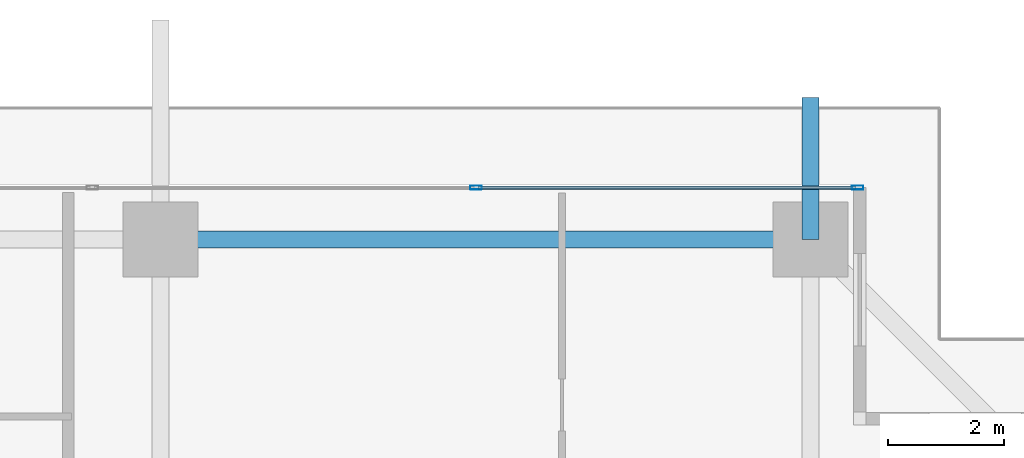
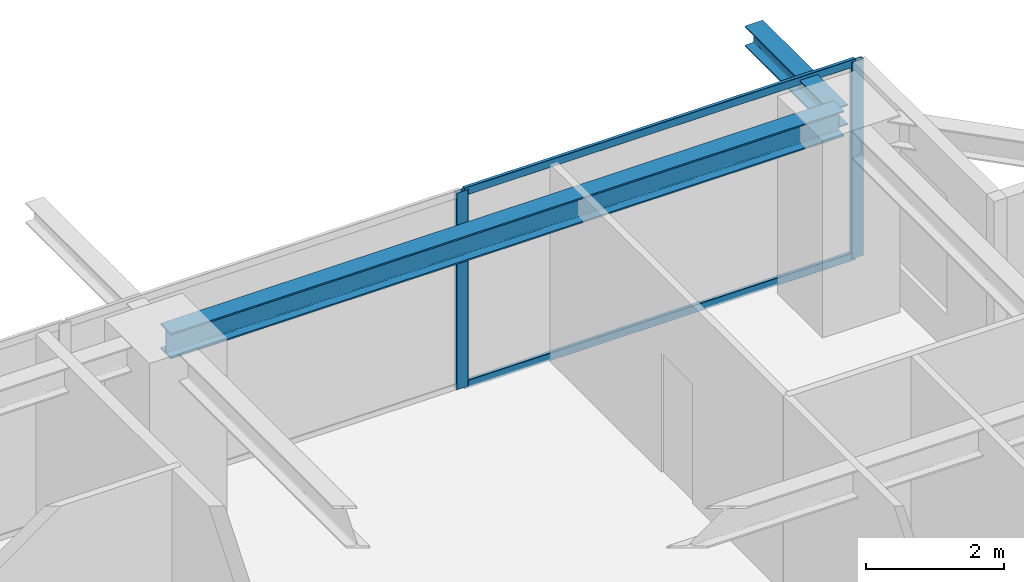
# One storey, part 24 of 36: 4 members, 2 beams, 1 element without a shape of its own.
"""IFC4 building model written with IfcOpenShell, lengths in metres."""

from ifc_helpers import new_model, si_unit, direction, frame, origin, origin_2d, place, context, subcontext, project, spatial, hollow_rectangle, i_section, extrude, source, transform, mapped, material, layer, layer_set, material_profile, profile_set, type_object, element, aggregate, save


model = new_model("IFC4")

# Units and contexts
model_context = context("Model", 3, precision=1e-05, world=origin(), true_north=direction((0.0, 1.0)))
body_context = subcontext(model_context, "Body", "Model", "MODEL_VIEW")
ifc_project = project(units=[si_unit("LENGTHUNIT", "METRE"), si_unit("AREAUNIT", "SQUARE_METRE"), si_unit("VOLUMEUNIT", "CUBIC_METRE"), si_unit("PLANEANGLEUNIT", "RADIAN"), si_unit("MASSUNIT", "GRAM", prefix="KILO")], contexts=[model_context])

# Site, building, storey
site_placement = place(None, origin())
site = spatial("IfcSite", under=ifc_project, at=site_placement, CompositionType="ELEMENT")
building_placement = place(site_placement, origin())
building = spatial("IfcBuilding", under=site, at=building_placement, Name="Serunith Strait Residences", CompositionType="ELEMENT")
storey_placement = place(building_placement, frame((0.0, 0.0, 131.39990234375)))
storey = spatial("IfcBuildingStorey", under=building, at=storey_placement, Name="L32", CompositionType="ELEMENT", Elevation=131.39990234375)

# Beams
ifc_material_1 = material(Name="Steel S355J2", Category="steel")
ifc_material_profile_1 = material_profile(ifc_material_1, i_section(OverallWidth=0.300048828125, OverallDepth=0.449951171875, WebThickness=0.013916015625, FlangeThickness=0.02587890625, FilletRadius=0.027099609375, at=origin_2d()), Name="HEB 450")
ifc_profile_set_1 = profile_set([ifc_material_profile_1], Name="Steel S355J2")
beam_type_1 = type_object("IfcBeamType", Name="BM-HEB450", PredefinedType="BEAM", material=ifc_profile_set_1)
shared_shape_1 = source(origin(), body_context, "Body", "SweptSolid", [
    extrude(i_section(OverallWidth=0.300048828125, OverallDepth=0.449951171875, WebThickness=0.013916015625, FlangeThickness=0.02587890625, FilletRadius=0.027099609375, at=origin_2d()), origin(), (0.0, 0.0, 1.0), 11.25),
])
beam_1_placement = place(storey_placement, frame((48.14990234375, 48.10009765625, 3.26220703125), z_axis=(-1.0, 0.0, 0.0), x_axis=(0.0, -1.0, 0.0)))
element("IfcBeam", 1, at=beam_1_placement, inside=storey, type_object=beam_type_1, Name="L32 Perimeter Ring Beam 09", PredefinedType="BEAM", context=body_context, shape_type="MappedRepresentation", body=[
    mapped(shared_shape_1, transform((0.0, 0.0, 0.0), scale=1.0)),
])
ifc_material_profile_2 = material_profile(ifc_material_1, i_section(OverallWidth=0.300048828125, OverallDepth=0.360107421875, WebThickness=0.012451171875, FlangeThickness=0.0224609375, FilletRadius=0.027099609375, at=origin_2d()), Name="HEB 360")
ifc_profile_set_2 = profile_set([ifc_material_profile_2], Name="Steel S355J2")
beam_type_2 = type_object("IfcBeamType", Name="BM-HEB360", PredefinedType="BEAM", material=ifc_profile_set_2)
shared_shape_2 = source(origin(), body_context, "Body", "SweptSolid", [
    extrude(i_section(OverallWidth=0.300048828125, OverallDepth=0.360107421875, WebThickness=0.012451171875, FlangeThickness=0.0224609375, FilletRadius=0.027099609375, at=origin_2d()), origin(), (0.0, 0.0, 1.0), 2.45849609375),
])
beam_2_placement = place(storey_placement, frame((48.14990234375, 48.10009765625, 3.277099609375), z_axis=(0.0, 1.0, 0.0), x_axis=(-1.0, 0.0, 0.0)))
element("IfcBeam", 2, at=beam_2_placement, inside=storey, type_object=beam_type_2, Name="L33 Cantilevered Balcony Rib TC-N4", PredefinedType="BEAM", context=body_context, shape_type="MappedRepresentation", body=[
    mapped(shared_shape_2, transform((0.0, 0.0, 0.0), scale=1.0)),
])

# Curtain wall, members
ifc_material_2 = material(Name="Pale-Champagne Anodised Aluminium", Category="aluminium")
ifc_layer = layer(ifc_material_2, 0.199951171875, Name="Pale-Champagne Anodised Aluminium")
ifc_layer_set = layer_set([ifc_layer], Name="Pale-Champagne Anodised Aluminium")
curtain_wall_type = type_object("IfcCurtainWallType", Name="CW-SYS2", PredefinedType="NOTDEFINED", material=ifc_layer_set)
curtain_wall_placement = place(storey_placement, origin())
curtain_wall = element("IfcCurtainWall", 3, at=curtain_wall_placement, inside=storey, type_object=curtain_wall_type, Name="L32 N Unitised Fritted Curtain Wall", PredefinedType="NOTDEFINED")
ifc_material_profile_3 = material_profile(ifc_material_2, hollow_rectangle(XDim=0.070068359375, YDim=0.199951171875, WallThickness=0.00390625, InnerFilletRadius=0.006103515625, OuterFilletRadius=0.010009765625, at=origin_2d()), Name="ALU 200x70x4")
ifc_profile_set_3 = profile_set([ifc_material_profile_3], Name="Pale-Champagne Anodised Aluminium")
member_type_1 = type_object("IfcMemberType", Name="CW-SYS2-MULL", PredefinedType="MULLION", material=ifc_profile_set_3)
shared_shape_3 = source(origin(), body_context, "Body", "SweptSolid", [
    extrude(hollow_rectangle(XDim=0.070068359375, YDim=0.199951171875, WallThickness=0.00390625, InnerFilletRadius=0.006103515625, OuterFilletRadius=0.010009765625, at=origin_2d()), origin(), (0.0, 0.0, 1.0), 3.47509765625),
])
member_1_placement = place(storey_placement, frame((48.965087890625, 49.0, 0.0), z_axis=(0.0, 0.0, 1.0), x_axis=(0.0, -1.0, 0.0)))
member_1 = element("IfcMember", 4, at=member_1_placement, type_object=member_type_1, Name="CW-2 mullion 1", PredefinedType="MULLION", context=body_context, shape_type="MappedRepresentation", body=[
    mapped(shared_shape_3, transform((0.0, 0.0, 0.0), scale=1.0)),
])
member_2_placement = place(storey_placement, frame((42.360107421875, 49.0, 0.0), z_axis=(0.0, 0.0, 1.0), x_axis=(0.0, -1.0, 0.0)))
member_2 = element("IfcMember", 5, at=member_2_placement, type_object=member_type_1, Name="CW-2 mullion 2", PredefinedType="MULLION", context=body_context, shape_type="MappedRepresentation", body=[
    mapped(shared_shape_3, transform((0.0, 0.0, 0.0), scale=1.0)),
])
ifc_material_profile_4 = material_profile(ifc_material_2, hollow_rectangle(XDim=0.06005859375, YDim=0.139892578125, WallThickness=0.00341796875, InnerFilletRadius=0.00537109375, OuterFilletRadius=0.0087890625, at=origin_2d()), Name="ALU 140x60x3.5")
ifc_profile_set_4 = profile_set([ifc_material_profile_4], Name="Pale-Champagne Anodised Aluminium")
member_type_2 = type_object("IfcMemberType", Name="CW-SYS2-TRAN", PredefinedType="USERDEFINED", material=ifc_profile_set_4)
shared_shape_4 = source(origin(), body_context, "Body", "SweptSolid", [
    extrude(hollow_rectangle(XDim=0.06005859375, YDim=0.139892578125, WallThickness=0.00341796875, InnerFilletRadius=0.00537109375, OuterFilletRadius=0.0087890625, at=origin_2d()), origin(), (0.0, 0.0, 1.0), 6.534912109375),
])
member_3_placement = place(storey_placement, frame((48.929931640625, 49.0, 0.030029296875), z_axis=(-1.0, 0.0, 0.0), x_axis=(0.0, -1.0, 0.0)))
member_3 = element("IfcMember", 6, at=member_3_placement, type_object=member_type_2, Name="CW-2 transom 1.1", ObjectType="TRANSOM", PredefinedType="USERDEFINED", context=body_context, shape_type="MappedRepresentation", body=[
    mapped(shared_shape_4, transform((0.0, 0.0, 0.0), scale=1.0)),
])
member_4_placement = place(storey_placement, frame((48.929931640625, 49.0, 3.445068359375), z_axis=(-1.0, 0.0, 0.0), x_axis=(0.0, -1.0, 0.0)))
member_4 = element("IfcMember", 7, at=member_4_placement, type_object=member_type_2, Name="CW-2 transom 1.2", ObjectType="TRANSOM", PredefinedType="USERDEFINED", context=body_context, shape_type="MappedRepresentation", body=[
    mapped(shared_shape_4, transform((0.0, 0.0, 0.0), scale=1.0)),
])
aggregate(curtain_wall, [member_1, member_2, member_3, member_4])

save(model, "model.ifc")
